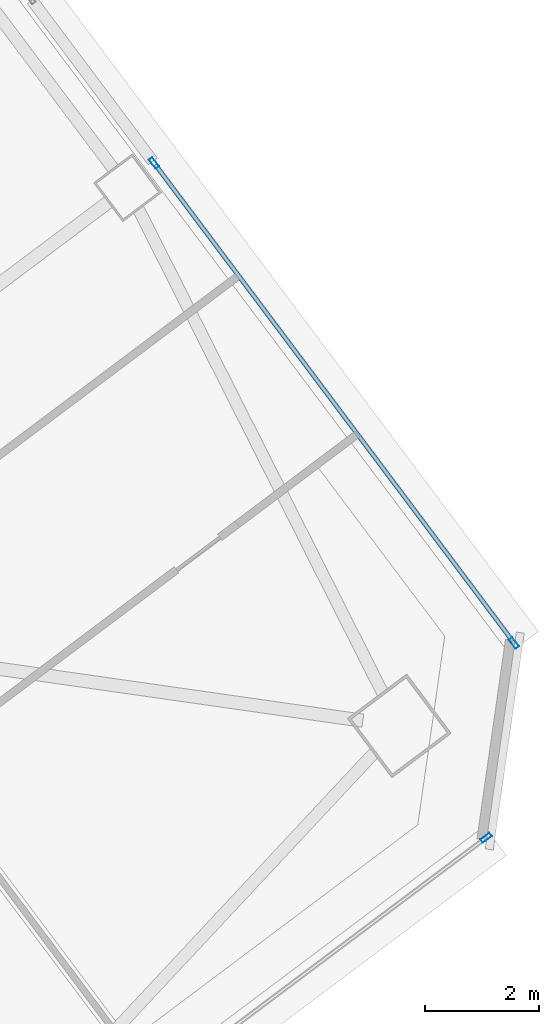
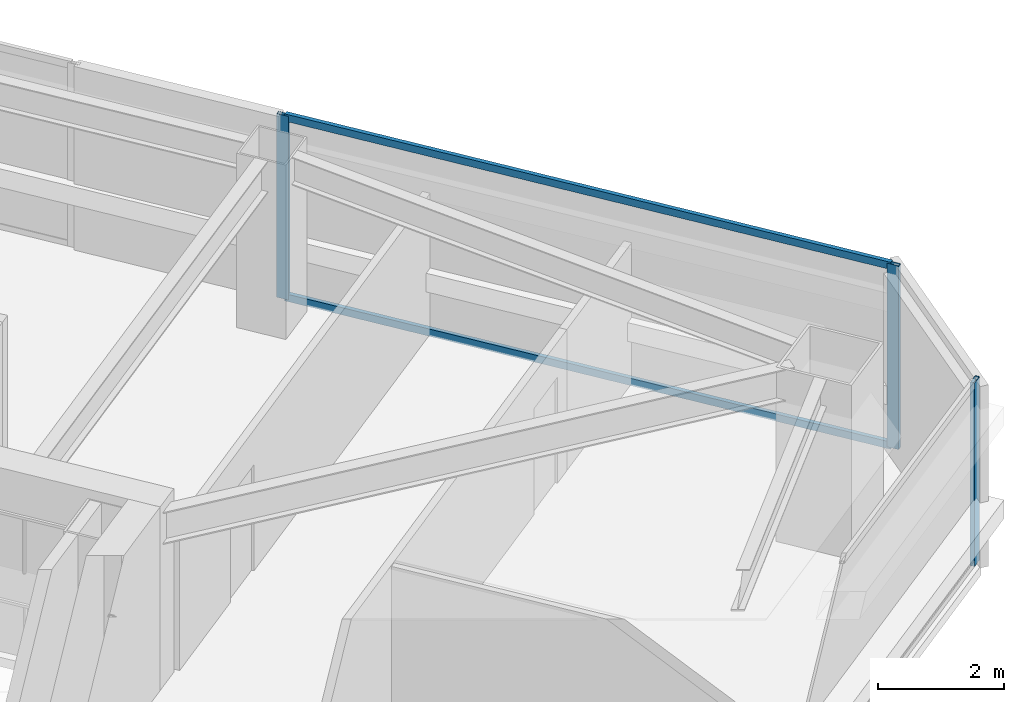
# One storey, part 25 of 42: 5 members, 2 elements without a shape of their own.
"""IFC4 building model written with IfcOpenShell, lengths in metres."""

from ifc_helpers import new_model, si_unit, direction, frame, origin, origin_2d, place, context, subcontext, project, spatial, hollow_rectangle, extrude, material, material_profile, profile_set, type_object, element, aggregate, save


model = new_model("IFC4")

# Units and contexts
model_context = context("Model", 3, precision=1e-05, world=origin(), true_north=direction((0.0, 1.0)))
body_context = subcontext(model_context, "Body", "Model", "MODEL_VIEW")
ifc_project = project(units=[si_unit("LENGTHUNIT", "METRE"), si_unit("AREAUNIT", "SQUARE_METRE"), si_unit("VOLUMEUNIT", "CUBIC_METRE"), si_unit("PLANEANGLEUNIT", "RADIAN"), si_unit("MASSUNIT", "GRAM", prefix="KILO")], contexts=[model_context])

# Site, building, storey
site_placement = place(None, origin())
site = spatial("IfcSite", under=ifc_project, at=site_placement, CompositionType="ELEMENT")
building_placement = place(site_placement, origin())
building = spatial("IfcBuilding", under=site, at=building_placement, Name="Tashvorn Skyway Center", CompositionType="ELEMENT")
storey_placement = place(building_placement, frame((0.0, 0.0, 121.5)))
storey = spatial("IfcBuildingStorey", under=building, at=storey_placement, Name="L32", CompositionType="ELEMENT", Elevation=121.5)

# Curtain wall, member
ifc_material = material(Name="Thermally broken bronze-anodized aluminium 6063-T6", Category="aluminium")
curtain_wall_type = type_object("IfcCurtainWallType", Name="CW-CW-Z3", PredefinedType="NOTDEFINED", material=ifc_material)
curtain_wall_1_placement = place(storey_placement, origin())
curtain_wall_1 = element("IfcCurtainWall", 1, at=curtain_wall_1_placement, inside=storey, type_object=curtain_wall_type, Name="Tower 2 L32 South Unitised Curtain Wall Glazing Group 1", PredefinedType="NOTDEFINED")
ifc_material_profile_1 = material_profile(ifc_material, hollow_rectangle(XDim=0.074951171875, YDim=0.199951171875, WallThickness=0.00439453125, at=origin_2d()), Name="ALU-MULL-75x200")
ifc_profile_set_1 = profile_set([ifc_material_profile_1], Name="Thermally broken bronze-anodized aluminium 6063-T6")
member_type_1 = type_object("IfcMemberType", Name="CWM-CW-Z3", PredefinedType="MULLION", material=ifc_profile_set_1)
member_1_placement = place(storey_placement, frame((137.64208984375, 26.881591796875, 0.0), z_axis=(0.0, 0.0, 1.0), x_axis=(0.600001511345, -0.799998866489, 0.0)))
member_1 = element("IfcMember", 2, at=member_1_placement, type_object=member_type_1, Name="CW-Z3 mullion 1", PredefinedType="MULLION", context=body_context, shape_type="SweptSolid", body=[
    extrude(hollow_rectangle(XDim=0.074951171875, YDim=0.199951171875, WallThickness=0.00439453125, at=origin_2d()), origin(), (0.0, 0.0, 1.0), 3.550048828125),
])
aggregate(curtain_wall_1, [member_1])

# Curtain wall, members
curtain_wall_2_placement = place(storey_placement, origin())
curtain_wall_2 = element("IfcCurtainWall", 3, at=curtain_wall_2_placement, inside=storey, type_object=curtain_wall_type, Name="Tower 2 L32 East Unitised Curtain Wall Glazing Group 3", PredefinedType="NOTDEFINED")
member_2_placement = place(storey_placement, frame((131.822509765625, 38.703369140625, 0.0), z_axis=(0.0, 0.0, 1.0), x_axis=(0.799998866489, 0.600001511345, 0.0)))
member_2 = element("IfcMember", 4, at=member_2_placement, type_object=member_type_1, Name="CW-Z3 mullion 1", PredefinedType="MULLION", context=body_context, shape_type="SweptSolid", body=[
    extrude(hollow_rectangle(XDim=0.074951171875, YDim=0.199951171875, WallThickness=0.00439453125, at=origin_2d()), origin(), (0.0, 0.0, 1.0), 3.550048828125),
])
member_3_placement = place(storey_placement, frame((138.12939453125, 30.2939453125, 0.0), z_axis=(0.0, 0.0, 1.0), x_axis=(0.799998866489, 0.600001511345, 0.0)))
member_3 = element("IfcMember", 5, at=member_3_placement, type_object=member_type_1, Name="CW-Z3 mullion 2", PredefinedType="MULLION", context=body_context, shape_type="SweptSolid", body=[
    extrude(hollow_rectangle(XDim=0.074951171875, YDim=0.199951171875, WallThickness=0.00439453125, at=origin_2d()), origin(), (0.0, 0.0, 1.0), 3.550048828125),
])
ifc_material_profile_2 = material_profile(ifc_material, hollow_rectangle(XDim=0.074951171875, YDim=0.139892578125, WallThickness=0.004150390625, at=origin_2d()), Name="ALU-TRAN-75x140")
ifc_profile_set_2 = profile_set([ifc_material_profile_2], Name="Thermally broken bronze-anodized aluminium 6063-T6")
member_type_2 = type_object("IfcMemberType", Name="CWT-CW-Z3", PredefinedType="USERDEFINED", material=ifc_profile_set_2)
member_4_placement = place(storey_placement, frame((131.844970703125, 38.67333984375, 0.03759765625), z_axis=(0.599996257181, -0.800002807101, 0.0), x_axis=(0.800002807101, 0.599996257181, 0.0)))
member_4 = element("IfcMember", 6, at=member_4_placement, type_object=member_type_2, Name="CW-Z3 transom 1.1", ObjectType="TRANSOM", PredefinedType="USERDEFINED", context=body_context, shape_type="SweptSolid", body=[
    extrude(hollow_rectangle(XDim=0.074951171875, YDim=0.139892578125, WallThickness=0.004150390625, at=origin_2d()), origin(), (0.0, 0.0, 1.0), 10.436767578125),
])
member_5_placement = place(storey_placement, frame((131.844970703125, 38.67333984375, 3.512451171875), z_axis=(0.599996257181, -0.800002807101, 0.0), x_axis=(0.800002807101, 0.599996257181, 0.0)))
member_5 = element("IfcMember", 7, at=member_5_placement, type_object=member_type_2, Name="CW-Z3 transom 1.2", ObjectType="TRANSOM", PredefinedType="USERDEFINED", context=body_context, shape_type="SweptSolid", body=[
    extrude(hollow_rectangle(XDim=0.074951171875, YDim=0.139892578125, WallThickness=0.004150390625, at=origin_2d()), origin(), (0.0, 0.0, 1.0), 10.436767578125),
])
aggregate(curtain_wall_2, [member_2, member_3, member_4, member_5])

save(model, "model.ifc")
